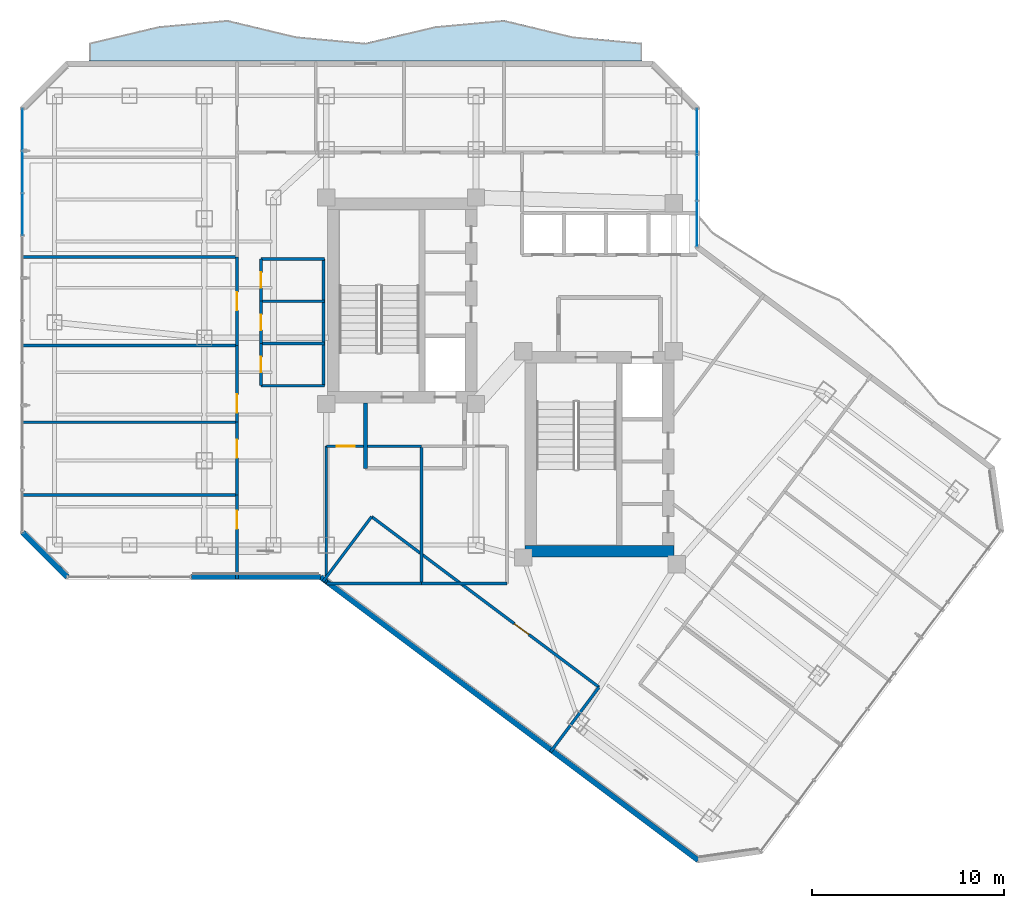
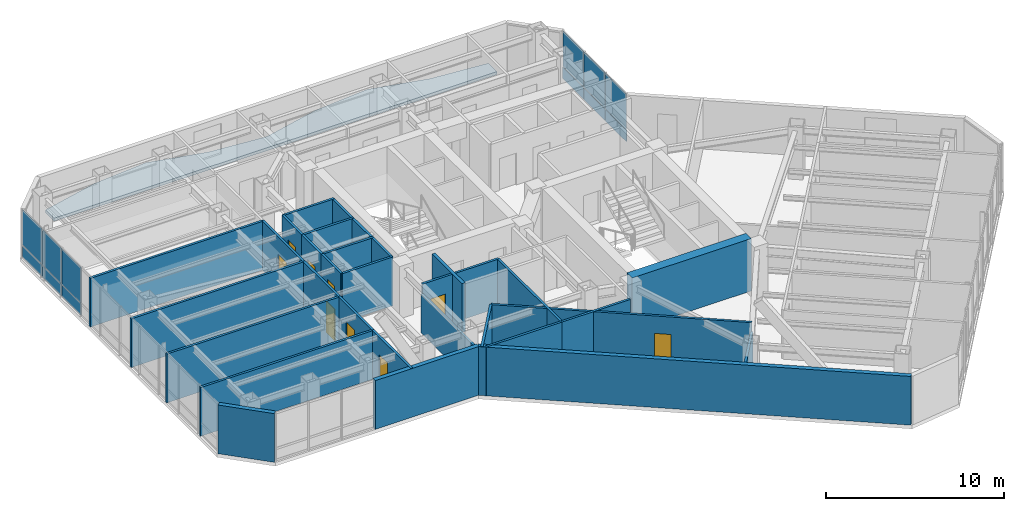
# One storey, part 22 of 29: 29 walls, 12 plates, 9 doors, 1 slab, 9 openings, 2 elements without a shape of their own.
"""IFC4 building model written with IfcOpenShell, lengths in metres."""

from ifc_helpers import new_model, si_unit, direction, frame, frame_2d, origin, origin_2d, place, context, subcontext, project, spatial, polyline, rectangle, outline, extrude, material, layer, layer_set, type_object, element, fill, aggregate, save


model = new_model("IFC4")

# Units and contexts
model_context = context("Model", 3, precision=1e-05, world=origin(), true_north=direction((0.0, 1.0)))
body_context = subcontext(model_context, "Body", "Model", "MODEL_VIEW")
ifc_project = project(units=[si_unit("LENGTHUNIT", "METRE"), si_unit("AREAUNIT", "SQUARE_METRE"), si_unit("VOLUMEUNIT", "CUBIC_METRE"), si_unit("PLANEANGLEUNIT", "RADIAN"), si_unit("MASSUNIT", "GRAM", prefix="KILO")], contexts=[model_context])

# Site, building, storey
site_placement = place(None, origin())
site = spatial("IfcSite", under=ifc_project, at=site_placement, CompositionType="ELEMENT")
building_placement = place(site_placement, origin())
building = spatial("IfcBuilding", under=site, at=building_placement, Name="Hatsunagi Terrace Concourse", CompositionType="ELEMENT")
storey_placement = place(building_placement, frame((0.0, 0.0, 149.25)))
storey = spatial("IfcBuildingStorey", under=building, at=storey_placement, Name="L39", CompositionType="ELEMENT", Elevation=149.25)

# Curtain wall, plates
ifc_material_1 = material(Name="Anodised Aluminium Alloy 6063-T5", Category="aluminium")
ifc_layer_1 = layer(ifc_material_1, 0.199951171875)
ifc_layer_set_1 = layer_set([ifc_layer_1], Name="OfficeZone1_CW03")
curtain_wall_type = type_object("IfcCurtainWallType", Name="OfficeZone1_CW03", PredefinedType="NOTDEFINED", material=ifc_layer_set_1)
curtain_wall_1_placement = place(storey_placement, origin())
curtain_wall_1 = element("IfcCurtainWall", 1, at=curtain_wall_1_placement, inside=storey, type_object=curtain_wall_type, Name="Unitised Curtain Wall CW-03 CW-L39-09", PredefinedType="NOTDEFINED")
ifc_material_2 = material(Name="Warm Terracotta Ceramic Spandrel Panel", Category="masonry")
ifc_layer_2 = layer(ifc_material_2, 0.031982421875)
ifc_layer_set_2 = layer_set([ifc_layer_2], Name="CurtainWallSpandrelPanel_32")
plate_type_1 = type_object("IfcPlateType", Name="CurtainWallSpandrelPanel_32", PredefinedType="SHEET", material=ifc_layer_set_2)
plate_1_placement = place(storey_placement, frame((9.739990234375, 42.4208984375, 0.030029296875), z_axis=(0.0, 0.0, 1.0), x_axis=(0.0, 1.0, 0.0)))
plate_1 = element("IfcPlate", 2, at=plate_1_placement, type_object=plate_type_1, Name="Terracotta Spandrel Panel SPN-01", PredefinedType="SHEET", context=body_context, shape_type="SweptSolid", body=[
    extrude(rectangle(XDim=2.153076171875, YDim=0.031982421875, at=origin_2d()), origin(), (0.0, 0.0, 1.0), 0.7900390625),
])
plate_2_placement = place(storey_placement, frame((9.739990234375, 44.62890625, 0.030029296875), z_axis=(0.0, 0.0, 1.0), x_axis=(0.0, 1.0, 0.0)))
plate_2 = element("IfcPlate", 3, at=plate_2_placement, type_object=plate_type_1, Name="Terracotta Spandrel Panel SPN-01", PredefinedType="SHEET", context=body_context, shape_type="SweptSolid", body=[
    extrude(rectangle(XDim=2.153076171875, YDim=0.031982421875, at=origin_2d()), origin(), (0.0, 0.0, 1.0), 0.7900390625),
])
plate_3_placement = place(storey_placement, frame((9.739990234375, 46.837890625, 0.030029296875), z_axis=(0.0, 0.0, 1.0), x_axis=(0.0, 1.0, 0.0)))
plate_3 = element("IfcPlate", 4, at=plate_3_placement, type_object=plate_type_1, Name="Terracotta Spandrel Panel SPN-01", PredefinedType="SHEET", context=body_context, shape_type="SweptSolid", body=[
    extrude(rectangle(XDim=2.153076171875, YDim=0.031982421875, at=origin_2d()), origin(), (0.0, 0.0, 1.0), 0.7900390625),
])

curtain_wall_2_placement = place(storey_placement, origin())
curtain_wall_2 = element("IfcCurtainWall", 5, at=curtain_wall_2_placement, inside=storey, type_object=curtain_wall_type, Name="Unitised Curtain Wall CW-03 CW-L39-13", PredefinedType="NOTDEFINED")
plate_4_placement = place(storey_placement, frame((44.860107421875, 46.739990234375, 0.030029296875), z_axis=(0.0, 0.0, 1.0), x_axis=(0.0, -1.0, 0.0)))
plate_4 = element("IfcPlate", 6, at=plate_4_placement, type_object=plate_type_1, Name="Terracotta Spandrel Panel SPN-01", PredefinedType="SHEET", context=body_context, shape_type="SweptSolid", body=[
    extrude(rectangle(XDim=2.34912109375, YDim=0.031982421875, at=origin_2d()), origin(), (0.0, 0.0, 1.0), 0.7900390625),
])
plate_5_placement = place(storey_placement, frame((44.860107421875, 44.3359375, 0.030029296875), z_axis=(0.0, 0.0, 1.0), x_axis=(0.0, -1.0, 0.0)))
plate_5 = element("IfcPlate", 7, at=plate_5_placement, type_object=plate_type_1, Name="Terracotta Spandrel Panel SPN-01", PredefinedType="SHEET", context=body_context, shape_type="SweptSolid", body=[
    extrude(rectangle(XDim=2.34912109375, YDim=0.031982421875, at=origin_2d()), origin(), (0.0, 0.0, 1.0), 0.7900390625),
])
plate_6_placement = place(storey_placement, frame((44.860107421875, 41.931884765625, 0.030029296875), z_axis=(0.0, 0.0, 1.0), x_axis=(0.0, -1.0, 0.0)))
plate_6 = element("IfcPlate", 8, at=plate_6_placement, type_object=plate_type_1, Name="Terracotta Spandrel Panel SPN-01", PredefinedType="SHEET", context=body_context, shape_type="SweptSolid", body=[
    extrude(rectangle(XDim=2.34912109375, YDim=0.031982421875, at=origin_2d()), origin(), (0.0, 0.0, 1.0), 0.7900390625),
])

# Plate
ifc_material_3 = material(Name="Low-E Double Insulating Glass 28mm", Category="glass")
ifc_layer_3 = layer(ifc_material_3, 0.028076171875)
ifc_layer_set_3 = layer_set([ifc_layer_3], Name="CurtainWallVisionGlass_28")
plate_type_2 = type_object("IfcPlateType", Name="CurtainWallVisionGlass_28", PredefinedType="CURTAIN_PANEL", material=ifc_layer_set_3)
plate_7_placement = place(storey_placement, frame((9.739990234375, 42.4208984375, 0.880126953125), z_axis=(0.0, 0.0, 1.0), x_axis=(0.0, 1.0, 0.0)))
plate_7 = element("IfcPlate", 9, at=plate_7_placement, type_object=plate_type_2, Name="Low-E Vision Glass Panel GLZ-01", PredefinedType="CURTAIN_PANEL", context=body_context, shape_type="SweptSolid", body=[
    extrude(rectangle(XDim=2.153076171875, YDim=0.028076171875, at=origin_2d()), origin(), (0.0, 0.0, 1.0), 2.43994140625),
])

plate_8_placement = place(storey_placement, frame((9.739990234375, 44.62890625, 0.880126953125), z_axis=(0.0, 0.0, 1.0), x_axis=(0.0, 1.0, 0.0)))
plate_8 = element("IfcPlate", 10, at=plate_8_placement, type_object=plate_type_2, Name="Low-E Vision Glass Panel GLZ-01", PredefinedType="CURTAIN_PANEL", context=body_context, shape_type="SweptSolid", body=[
    extrude(rectangle(XDim=2.153076171875, YDim=0.028076171875, at=origin_2d()), origin(), (0.0, 0.0, 1.0), 2.43994140625),
])

plate_9_placement = place(storey_placement, frame((9.739990234375, 46.837890625, 0.880126953125), z_axis=(0.0, 0.0, 1.0), x_axis=(0.0, 1.0, 0.0)))
plate_9 = element("IfcPlate", 11, at=plate_9_placement, type_object=plate_type_2, Name="Low-E Vision Glass Panel GLZ-01", PredefinedType="CURTAIN_PANEL", context=body_context, shape_type="SweptSolid", body=[
    extrude(rectangle(XDim=2.153076171875, YDim=0.028076171875, at=origin_2d()), origin(), (0.0, 0.0, 1.0), 2.43994140625),
])

aggregate(curtain_wall_1, [plate_1, plate_7, plate_2, plate_8, plate_3, plate_9])

plate_10_placement = place(storey_placement, frame((44.860107421875, 46.739990234375, 0.880126953125), z_axis=(0.0, 0.0, 1.0), x_axis=(0.0, -1.0, 0.0)))
plate_10 = element("IfcPlate", 12, at=plate_10_placement, type_object=plate_type_2, Name="Low-E Vision Glass Panel GLZ-01", PredefinedType="CURTAIN_PANEL", context=body_context, shape_type="SweptSolid", body=[
    extrude(rectangle(XDim=2.34912109375, YDim=0.028076171875, at=origin_2d()), origin(), (0.0, 0.0, 1.0), 2.43994140625),
])

plate_11_placement = place(storey_placement, frame((44.860107421875, 44.3359375, 0.880126953125), z_axis=(0.0, 0.0, 1.0), x_axis=(0.0, -1.0, 0.0)))
plate_11 = element("IfcPlate", 13, at=plate_11_placement, type_object=plate_type_2, Name="Low-E Vision Glass Panel GLZ-01", PredefinedType="CURTAIN_PANEL", context=body_context, shape_type="SweptSolid", body=[
    extrude(rectangle(XDim=2.34912109375, YDim=0.028076171875, at=origin_2d()), origin(), (0.0, 0.0, 1.0), 2.43994140625),
])

plate_12_placement = place(storey_placement, frame((44.860107421875, 41.931884765625, 0.880126953125), z_axis=(0.0, 0.0, 1.0), x_axis=(0.0, -1.0, 0.0)))
plate_12 = element("IfcPlate", 14, at=plate_12_placement, type_object=plate_type_2, Name="Low-E Vision Glass Panel GLZ-01", PredefinedType="CURTAIN_PANEL", context=body_context, shape_type="SweptSolid", body=[
    extrude(rectangle(XDim=2.34912109375, YDim=0.028076171875, at=origin_2d()), origin(), (0.0, 0.0, 1.0), 2.43994140625),
])

aggregate(curtain_wall_2, [plate_4, plate_10, plate_5, plate_11, plate_6, plate_12])

# Slab
ifc_material_4 = material(Name="Concrete Fc42", Category="concrete")
ifc_layer_4 = layer(ifc_material_4, 0.199951171875)
ifc_layer_set_4 = layer_set([ifc_layer_4], Name="EngawaBalconySlab_Fc42_200")
slab_type = type_object("IfcSlabType", Name="EngawaBalconySlab_Fc42_200", PredefinedType="FLOOR", material=ifc_layer_set_4)
slab_placement = place(storey_placement, frame((0.0, 0.0, -0.199951171875)))
element("IfcSlab", 15, at=slab_placement, inside=storey, type_object=slab_type, Name="Engawa Balcony Slab BAL-L39-BN", PredefinedType="FLOOR", context=body_context, shape_type="SweptSolid", body=[
    extrude(outline(polyline([(13.199951171875, 51.35595703125), (13.199951171875, 50.39990234375), (42.0, 50.39990234375), (42.0, 51.35595703125), (38.39990234375, 51.68603515625), (34.800048828125, 52.5439453125), (31.199951171875, 52.214111328125), (27.60009765625, 51.35595703125), (24.0, 51.68603515625), (20.39990234375, 52.5439453125), (16.800048828125, 52.214111328125), (13.199951171875, 51.35595703125)])), origin(), (0.0, 0.0, 1.0), 0.199951171875),
])

# Walls
ifc_material_5 = material(Name="Concrete Fc48", Category="concrete")
ifc_layer_5 = layer(ifc_material_5, 0.60009765625)
ifc_layer_set_5 = layer_set([ifc_layer_5], Name="CoreShearWall_Fc48_600")
wall_type_1 = type_object("IfcWallType", Name="CoreShearWall_Fc48_600", PredefinedType="SHEAR", material=ifc_layer_set_5)
wall_1_placement = place(storey_placement, frame((35.889892578125, 24.889892578125, 0.0), z_axis=(0.0, 0.0, 1.0), x_axis=(1.0, 0.0, 0.0)))
element("IfcWall", 16, at=wall_1_placement, inside=storey, type_object=wall_type_1, Name="Core B Shear Wall S L39", PredefinedType="SHEAR", context=body_context, shape_type="SweptSolid", body=[
    extrude(rectangle(XDim=7.760009765625, YDim=0.60009765625, at=frame_2d((3.8798828125, 0.0))), origin(), (0.0, 0.0, 1.0), 3.60009765625),
])
ifc_material_6 = material(Name="Acoustic mineral board", Category="gypsum")
ifc_layer_6 = layer(ifc_material_6, 0.14990234375)
ifc_layer_set_6 = layer_set([ifc_layer_6], Name="PartitionWall_EI60_150")
wall_type_2 = type_object("IfcWallType", Name="PartitionWall_EI60_150", PredefinedType="PARTITIONING", material=ifc_layer_set_6)
for number, where, z_axis, x_axis, name in (
    (17, (22.14990234375, 33.5, 0.0), (0.0, 0.0, 1.0), (1.0, 0.0, 0.0), "Interior Partition IW-L39-019"),
    (18, (22.14990234375, 40.10009765625, 0.0), (0.0, 0.0, 1.0), (1.0, 0.0, 0.0), "Interior Partition IW-L39-020"),
):
    element("IfcWall", number, at=place(storey_placement, frame(where, z_axis=z_axis, x_axis=x_axis)), inside=storey, type_object=wall_type_2, Name=name, PredefinedType="PARTITIONING", context=body_context, shape_type="SweptSolid", body=[
        extrude(rectangle(XDim=3.300048828125, YDim=0.14990234375, at=frame_2d((1.64990234375, 0.0))), origin(), (0.0, 0.0, 1.0), 3.35009765625),
    ])
wall_2_placement = place(storey_placement, frame((25.39990234375, 33.5, 0.0), z_axis=(0.0, 0.0, 1.0), x_axis=(0.0, 1.0, 0.0)))
element("IfcWall", 19, at=wall_2_placement, inside=storey, type_object=wall_type_2, Name="Interior Partition IW-L39-021", PredefinedType="PARTITIONING", context=body_context, shape_type="SweptSolid", body=[
    extrude(rectangle(XDim=6.60009765625, YDim=0.14990234375, at=frame_2d((3.300048828125, 0.0))), origin(), (0.0, 0.0, 1.0), 3.35009765625),
])
for number, where, z_axis, x_axis, name in (
    (20, (22.14990234375, 35.699951171875, 0.0), (0.0, 0.0, 1.0), (1.0, 0.0, 0.0), "Interior Partition IW-L39-022"),
    (21, (22.14990234375, 37.89990234375, 0.0), (0.0, 0.0, 1.0), (1.0, 0.0, 0.0), "Interior Partition IW-L39-023"),
):
    element("IfcWall", number, at=place(storey_placement, frame(where, z_axis=z_axis, x_axis=x_axis)), inside=storey, type_object=wall_type_2, Name=name, PredefinedType="PARTITIONING", context=body_context, shape_type="SweptSolid", body=[
        extrude(rectangle(XDim=3.300048828125, YDim=0.14990234375, at=frame_2d((1.64990234375, 0.0))), origin(), (0.0, 0.0, 1.0), 3.35009765625),
    ])

# Wall, opening, door
wall_3_placement = place(storey_placement, frame((22.14990234375, 33.5, 0.0), z_axis=(0.0, 0.0, 1.0), x_axis=(0.0, 1.0, 0.0)))
wall_3 = element("IfcWall", 22, at=wall_3_placement, inside=storey, type_object=wall_type_2, Name="Interior Partition IW-L39-024", PredefinedType="PARTITIONING", context=body_context, shape_type="SweptSolid", body=[
    extrude(rectangle(XDim=2.199951171875, YDim=0.14990234375, at=frame_2d((1.10009765625, 0.0))), origin(), (0.0, 0.0, 1.0), 3.35009765625),
])
opening_1_placement = place(wall_3_placement, frame((0.699951171875, 0.0, 0.0)))
opening_1 = element("IfcOpeningElement", 23, at=opening_1_placement, cuts=wall_3, Name="Opening DR-080", PredefinedType="OPENING", context=body_context, shape_type="SweptSolid", body=[
    extrude(rectangle(XDim=0.800048828125, YDim=2.06005859375, at=frame_2d((0.39990234375, 1.030029296875))), frame((0.0, 0.0849609375, 0.0), z_axis=(0.0, -1.0, 0.0), x_axis=(1.0, 0.0, 0.0)), (0.0, 0.0, 1.0), 0.169921875),
])
ifc_material_7 = material(Name="Hardwood timber", Category="wood")
door_type_1 = type_object("IfcDoorType", Name="BathroomDoor_800", OperationType="NOTDEFINED", PredefinedType="DOOR", material=ifc_material_7)
door_1_placement = place(opening_1_placement, origin())
door_1 = element("IfcDoor", 24, at=door_1_placement, inside=storey, type_object=door_type_1, Name="Accessible WC Door L39", OperationType="SINGLE_SWING_RIGHT", OverallHeight=2.06005859375, OverallWidth=0.800048828125, PredefinedType="DOOR", context=body_context, shape_type="SweptSolid", body=[
    extrude(rectangle(XDim=0.800048828125, YDim=2.06005859375, at=frame_2d((0.39990234375, 1.030029296875))), frame((0.0, 0.02490234375, 0.0), z_axis=(0.0, -1.0, 0.0), x_axis=(1.0, 0.0, 0.0)), (0.0, 0.0, 1.0), 0.050048828125),
])
fill(opening_1, door_1)

wall_4_placement = place(storey_placement, frame((22.14990234375, 35.699951171875, 0.0), z_axis=(0.0, 0.0, 1.0), x_axis=(0.0, 1.0, 0.0)))
wall_4 = element("IfcWall", 25, at=wall_4_placement, inside=storey, type_object=wall_type_2, Name="Interior Partition IW-L39-025", PredefinedType="PARTITIONING", context=body_context, shape_type="SweptSolid", body=[
    extrude(rectangle(XDim=2.199951171875, YDim=0.14990234375, at=frame_2d((1.10009765625, 0.0))), origin(), (0.0, 0.0, 1.0), 3.35009765625),
])
opening_2_placement = place(wall_4_placement, frame((0.699951171875, 0.0, 0.0)))
opening_2 = element("IfcOpeningElement", 26, at=opening_2_placement, cuts=wall_4, Name="Opening DR-080", PredefinedType="OPENING", context=body_context, shape_type="SweptSolid", body=[
    extrude(rectangle(XDim=0.800048828125, YDim=2.06005859375, at=frame_2d((0.39990234375, 1.030029296875))), frame((0.0, 0.0849609375, 0.0), z_axis=(0.0, -1.0, 0.0), x_axis=(1.0, 0.0, 0.0)), (0.0, 0.0, 1.0), 0.169921875),
])
door_2_placement = place(opening_2_placement, origin())
door_2 = element("IfcDoor", 27, at=door_2_placement, inside=storey, type_object=door_type_1, Name="Female Restroom Door L39", OperationType="SINGLE_SWING_RIGHT", OverallHeight=2.06005859375, OverallWidth=0.800048828125, PredefinedType="DOOR", context=body_context, shape_type="SweptSolid", body=[
    extrude(rectangle(XDim=0.800048828125, YDim=2.06005859375, at=frame_2d((0.39990234375, 1.030029296875))), frame((0.0, 0.02490234375, 0.0), z_axis=(0.0, -1.0, 0.0), x_axis=(1.0, 0.0, 0.0)), (0.0, 0.0, 1.0), 0.050048828125),
])
fill(opening_2, door_2)

wall_5_placement = place(storey_placement, frame((22.14990234375, 37.89990234375, 0.0), z_axis=(0.0, 0.0, 1.0), x_axis=(0.0, 1.0, 0.0)))
wall_5 = element("IfcWall", 28, at=wall_5_placement, inside=storey, type_object=wall_type_2, Name="Interior Partition IW-L39-026", PredefinedType="PARTITIONING", context=body_context, shape_type="SweptSolid", body=[
    extrude(rectangle(XDim=2.2001953125, YDim=0.14990234375, at=frame_2d((1.10009765625, 0.0))), origin(), (0.0, 0.0, 1.0), 3.35009765625),
])
opening_3_placement = place(wall_5_placement, frame((0.699951171875, 0.0, 0.0)))
opening_3 = element("IfcOpeningElement", 29, at=opening_3_placement, cuts=wall_5, Name="Opening DR-080", PredefinedType="OPENING", context=body_context, shape_type="SweptSolid", body=[
    extrude(rectangle(XDim=0.800048828125, YDim=2.06005859375, at=frame_2d((0.39990234375, 1.030029296875))), frame((0.0, 0.0849609375, 0.0), z_axis=(0.0, -1.0, 0.0), x_axis=(1.0, 0.0, 0.0)), (0.0, 0.0, 1.0), 0.169921875),
])
door_3_placement = place(opening_3_placement, origin())
door_3 = element("IfcDoor", 30, at=door_3_placement, inside=storey, type_object=door_type_1, Name="Male Restroom Door L39", OperationType="SINGLE_SWING_RIGHT", OverallHeight=2.06005859375, OverallWidth=0.800048828125, PredefinedType="DOOR", context=body_context, shape_type="SweptSolid", body=[
    extrude(rectangle(XDim=0.800048828125, YDim=2.06005859375, at=frame_2d((0.39990234375, 1.030029296875))), frame((0.0, 0.02490234375, 0.0), z_axis=(0.0, -1.0, 0.0), x_axis=(1.0, 0.0, 0.0)), (0.0, 0.0, 1.0), 0.050048828125),
])
fill(opening_3, door_3)

# Wall
wall_6_placement = place(storey_placement, frame((25.550048828125, 23.199951171875, 0.0), z_axis=(0.0, 0.0, 1.0), x_axis=(1.0, 0.0, 0.0)))
element("IfcWall", 31, at=wall_6_placement, inside=storey, type_object=wall_type_2, Name="Interior Partition IW-L39-027", PredefinedType="PARTITIONING", context=body_context, shape_type="SweptSolid", body=[
    extrude(rectangle(XDim=4.949951171875, YDim=0.14990234375, at=frame_2d((2.47509765625, 0.0))), origin(), (0.0, 0.0, 1.0), 3.35009765625),
])

# Wall, opening, door
wall_7_placement = place(storey_placement, frame((25.550048828125, 30.35009765625, 0.0), z_axis=(0.0, 0.0, 1.0), x_axis=(1.0, 0.0, 0.0)))
wall_7 = element("IfcWall", 32, at=wall_7_placement, inside=storey, type_object=wall_type_2, Name="Interior Partition IW-L39-028", PredefinedType="PARTITIONING", context=body_context, shape_type="SweptSolid", body=[
    extrude(rectangle(XDim=4.949951171875, YDim=0.14990234375, at=frame_2d((2.47509765625, 0.0))), origin(), (0.0, 0.0, 1.0), 3.35009765625),
])
opening_4_placement = place(wall_7_placement, frame((0.5419921875, 0.0, 0.0)))
opening_4 = element("IfcOpeningElement", 33, at=opening_4_placement, cuts=wall_7, Name="Opening DR-095", PredefinedType="OPENING", context=body_context, shape_type="SweptSolid", body=[
    extrude(rectangle(XDim=0.949951171875, YDim=2.14990234375, at=frame_2d((0.47509765625, 1.074951171875))), frame((0.0, 0.0849609375, 0.0), z_axis=(0.0, -1.0, 0.0), x_axis=(1.0, 0.0, 0.0)), (0.0, 0.0, 1.0), 0.169921875),
])
ifc_material_8 = material(Name="Hardwood timber", Category="wood")
door_type_2 = type_object("IfcDoorType", Name="InteriorSuiteDoor_EI30_950", OperationType="NOTDEFINED", PredefinedType="DOOR", material=ifc_material_8)
door_4_placement = place(opening_4_placement, origin())
door_4 = element("IfcDoor", 34, at=door_4_placement, inside=storey, type_object=door_type_2, Name="Design Studio L39-RECL1 Door", OperationType="SINGLE_SWING_RIGHT", OverallHeight=2.14990234375, OverallWidth=0.949951171875, PredefinedType="DOOR", context=body_context, shape_type="SweptSolid", body=[
    extrude(rectangle(XDim=0.949951171875, YDim=2.14990234375, at=frame_2d((0.47509765625, 1.074951171875))), frame((0.0, 0.02490234375, 0.0), z_axis=(0.0, -1.0, 0.0), x_axis=(1.0, 0.0, 0.0)), (0.0, 0.0, 1.0), 0.050048828125),
])
fill(opening_4, door_4)

# Walls
wall_8_placement = place(storey_placement, frame((25.550048828125, 23.199951171875, 0.0), z_axis=(0.0, 0.0, 1.0), x_axis=(0.0, 1.0, 0.0)))
element("IfcWall", 35, at=wall_8_placement, inside=storey, type_object=wall_type_2, Name="Interior Partition IW-L39-029", PredefinedType="PARTITIONING", context=body_context, shape_type="SweptSolid", body=[
    extrude(rectangle(XDim=7.150146484375, YDim=0.14990234375, at=frame_2d((3.5751953125, 0.0))), origin(), (0.0, 0.0, 1.0), 2.695068359375),
])
wall_9_placement = place(storey_placement, frame((30.5, 23.199951171875, 0.0), z_axis=(0.0, 0.0, 1.0), x_axis=(0.0, 1.0, 0.0)))
element("IfcWall", 36, at=wall_9_placement, inside=storey, type_object=wall_type_2, Name="Interior Partition IW-L39-030", PredefinedType="PARTITIONING", context=body_context, shape_type="SweptSolid", body=[
    extrude(rectangle(XDim=7.150146484375, YDim=0.14990234375, at=frame_2d((3.5751953125, 0.0))), origin(), (0.0, 0.0, 1.0), 3.35009765625),
])
wall_10_placement = place(storey_placement, frame((30.5, 23.199951171875, 0.0), z_axis=(0.0, 0.0, 1.0), x_axis=(1.0, 0.0, 0.0)))
element("IfcWall", 37, at=wall_10_placement, inside=storey, type_object=wall_type_2, Name="Interior Partition IW-L39-031", PredefinedType="PARTITIONING", context=body_context, shape_type="SweptSolid", body=[
    extrude(rectangle(XDim=4.449951171875, YDim=0.14990234375, at=frame_2d((2.22509765625, 0.0))), origin(), (0.0, 0.0, 1.0), 3.35009765625),
])
wall_11_placement = place(storey_placement, frame((9.639892578125, 27.800048828125, 0.0), z_axis=(0.0, 0.0, 1.0), x_axis=(1.0, 0.0, 0.0)))
element("IfcWall", 38, at=wall_11_placement, inside=storey, type_object=wall_type_2, Name="Interior Partition IW-L39-034", PredefinedType="PARTITIONING", context=body_context, shape_type="SweptSolid", body=[
    extrude(rectangle(XDim=11.260009765625, YDim=0.14990234375, at=frame_2d((5.6298828125, 0.0))), origin(), (0.0, 0.0, 1.0), 3.35009765625),
])

# Wall, opening, door
wall_12_placement = place(storey_placement, frame((20.89990234375, 23.43994140625, 0.0), z_axis=(0.0, 0.0, 1.0), x_axis=(0.0, 1.0, 0.0)))
wall_12 = element("IfcWall", 39, at=wall_12_placement, inside=storey, type_object=wall_type_2, Name="Interior Partition IW-L39-035", PredefinedType="PARTITIONING", context=body_context, shape_type="SweptSolid", body=[
    extrude(rectangle(XDim=4.360107421875, YDim=0.14990234375, at=frame_2d((2.18017578125, 0.0))), origin(), (0.0, 0.0, 1.0), 3.35009765625),
])
opening_5_placement = place(wall_12_placement, frame((2.60595703125, 0.0, 0.0)))
opening_5 = element("IfcOpeningElement", 40, at=opening_5_placement, cuts=wall_12, Name="Opening DR-095", PredefinedType="OPENING", context=body_context, shape_type="SweptSolid", body=[
    extrude(rectangle(XDim=0.949951171875, YDim=2.14990234375, at=frame_2d((0.47509765625, 1.074951171875))), frame((0.0, 0.0849609375, 0.0), z_axis=(0.0, -1.0, 0.0), x_axis=(1.0, 0.0, 0.0)), (0.0, 0.0, 1.0), 0.169921875),
])
door_5_placement = place(opening_5_placement, origin())
door_5 = element("IfcDoor", 41, at=door_5_placement, inside=storey, type_object=door_type_2, Name="Executive Office L39-OW1 Door", OperationType="SINGLE_SWING_RIGHT", OverallHeight=2.14990234375, OverallWidth=0.949951171875, PredefinedType="DOOR", context=body_context, shape_type="SweptSolid", body=[
    extrude(rectangle(XDim=0.949951171875, YDim=2.14990234375, at=frame_2d((0.47509765625, 1.074951171875))), frame((0.0, 0.02490234375, 0.0), z_axis=(0.0, -1.0, 0.0), x_axis=(1.0, 0.0, 0.0)), (0.0, 0.0, 1.0), 0.050048828125),
])
fill(opening_5, door_5)

# Wall
wall_13_placement = place(storey_placement, frame((9.639892578125, 31.60009765625, 0.0), z_axis=(0.0, 0.0, 1.0), x_axis=(1.0, 0.0, 0.0)))
element("IfcWall", 42, at=wall_13_placement, inside=storey, type_object=wall_type_2, Name="Interior Partition IW-L39-036", PredefinedType="PARTITIONING", context=body_context, shape_type="SweptSolid", body=[
    extrude(rectangle(XDim=11.260009765625, YDim=0.14990234375, at=frame_2d((5.6298828125, 0.0))), origin(), (0.0, 0.0, 1.0), 3.35009765625),
])

# Wall, opening, door
wall_14_placement = place(storey_placement, frame((20.89990234375, 27.800048828125, 0.0), z_axis=(0.0, 0.0, 1.0), x_axis=(0.0, 1.0, 0.0)))
wall_14 = element("IfcWall", 43, at=wall_14_placement, inside=storey, type_object=wall_type_2, Name="Interior Partition IW-L39-037", PredefinedType="PARTITIONING", context=body_context, shape_type="SweptSolid", body=[
    extrude(rectangle(XDim=3.800048828125, YDim=0.14990234375, at=frame_2d((1.89990234375, 0.0))), origin(), (0.0, 0.0, 1.0), 3.35009765625),
])
opening_6_placement = place(wall_14_placement, frame((1.947998046875, 0.0, 0.0)))
opening_6 = element("IfcOpeningElement", 44, at=opening_6_placement, cuts=wall_14, Name="Opening DR-095", PredefinedType="OPENING", context=body_context, shape_type="SweptSolid", body=[
    extrude(rectangle(XDim=0.949951171875, YDim=2.14990234375, at=frame_2d((0.47509765625, 1.074951171875))), frame((0.0, 0.0849609375, 0.0), z_axis=(0.0, -1.0, 0.0), x_axis=(1.0, 0.0, 0.0)), (0.0, 0.0, 1.0), 0.169921875),
])
door_6_placement = place(opening_6_placement, origin())
door_6 = element("IfcDoor", 45, at=door_6_placement, inside=storey, type_object=door_type_2, Name="Focus Room L39-OW2 Door", OperationType="SINGLE_SWING_RIGHT", OverallHeight=2.14990234375, OverallWidth=0.949951171875, PredefinedType="DOOR", context=body_context, shape_type="SweptSolid", body=[
    extrude(rectangle(XDim=0.949951171875, YDim=2.14990234375, at=frame_2d((0.47509765625, 1.074951171875))), frame((0.0, 0.02490234375, 0.0), z_axis=(0.0, -1.0, 0.0), x_axis=(1.0, 0.0, 0.0)), (0.0, 0.0, 1.0), 0.050048828125),
])
fill(opening_6, door_6)

# Wall
wall_15_placement = place(storey_placement, frame((9.639892578125, 35.60009765625, 0.0), z_axis=(0.0, 0.0, 1.0), x_axis=(1.0, 0.0, 0.0)))
element("IfcWall", 46, at=wall_15_placement, inside=storey, type_object=wall_type_2, Name="Interior Partition IW-L39-038", PredefinedType="PARTITIONING", context=body_context, shape_type="SweptSolid", body=[
    extrude(rectangle(XDim=11.260009765625, YDim=0.14990234375, at=frame_2d((5.6298828125, 0.0))), origin(), (0.0, 0.0, 1.0), 3.35009765625),
])

# Wall, opening, door
wall_16_placement = place(storey_placement, frame((20.89990234375, 31.60009765625, 0.0), z_axis=(0.0, 0.0, 1.0), x_axis=(0.0, 1.0, 0.0)))
wall_16 = element("IfcWall", 47, at=wall_16_placement, inside=storey, type_object=wall_type_2, Name="Interior Partition IW-L39-039", PredefinedType="PARTITIONING", context=body_context, shape_type="SweptSolid", body=[
    extrude(rectangle(XDim=4.0, YDim=0.14990234375, at=frame_2d((2.0, 0.0))), origin(), (0.0, 0.0, 1.0), 3.35009765625),
])
opening_7_placement = place(wall_16_placement, frame((0.493896484375, 0.0, 0.0)))
opening_7 = element("IfcOpeningElement", 48, at=opening_7_placement, cuts=wall_16, Name="Opening DR-095", PredefinedType="OPENING", context=body_context, shape_type="SweptSolid", body=[
    extrude(rectangle(XDim=0.949951171875, YDim=2.14990234375, at=frame_2d((0.47509765625, 1.074951171875))), frame((0.0, 0.0849609375, 0.0), z_axis=(0.0, -1.0, 0.0), x_axis=(1.0, 0.0, 0.0)), (0.0, 0.0, 1.0), 0.169921875),
])
door_7_placement = place(opening_7_placement, origin())
door_7 = element("IfcDoor", 49, at=door_7_placement, inside=storey, type_object=door_type_2, Name="Focus Room L39-OW3 Door", OperationType="SINGLE_SWING_RIGHT", OverallHeight=2.14990234375, OverallWidth=0.949951171875, PredefinedType="DOOR", context=body_context, shape_type="SweptSolid", body=[
    extrude(rectangle(XDim=0.949951171875, YDim=2.14990234375, at=frame_2d((0.47509765625, 1.074951171875))), frame((0.0, 0.02490234375, 0.0), z_axis=(0.0, -1.0, 0.0), x_axis=(1.0, 0.0, 0.0)), (0.0, 0.0, 1.0), 0.050048828125),
])
fill(opening_7, door_7)

# Wall
wall_17_placement = place(storey_placement, frame((9.639892578125, 40.199951171875, 0.0), z_axis=(0.0, 0.0, 1.0), x_axis=(1.0, 0.0, 0.0)))
element("IfcWall", 50, at=wall_17_placement, inside=storey, type_object=wall_type_2, Name="Interior Partition IW-L39-040", PredefinedType="PARTITIONING", context=body_context, shape_type="SweptSolid", body=[
    extrude(rectangle(XDim=11.260009765625, YDim=0.14990234375, at=frame_2d((5.6298828125, 0.0))), origin(), (0.0, 0.0, 1.0), 3.35009765625),
])

# Wall, opening, door
wall_18_placement = place(storey_placement, frame((20.89990234375, 35.60009765625, 0.0), z_axis=(0.0, 0.0, 1.0), x_axis=(0.0, 1.0, 0.0)))
wall_18 = element("IfcWall", 51, at=wall_18_placement, inside=storey, type_object=wall_type_2, Name="Interior Partition IW-L39-041", PredefinedType="PARTITIONING", context=body_context, shape_type="SweptSolid", body=[
    extrude(rectangle(XDim=4.599853515625, YDim=0.14990234375, at=frame_2d((2.2998046875, 0.0))), origin(), (0.0, 0.0, 1.0), 3.35009765625),
])
opening_8_placement = place(wall_18_placement, frame((1.824951171875, 0.0, 0.0)))
opening_8 = element("IfcOpeningElement", 52, at=opening_8_placement, cuts=wall_18, Name="Opening DR-095", PredefinedType="OPENING", context=body_context, shape_type="SweptSolid", body=[
    extrude(rectangle(XDim=0.949951171875, YDim=2.14990234375, at=frame_2d((0.47509765625, 1.074951171875))), frame((0.0, 0.0849609375, 0.0), z_axis=(0.0, -1.0, 0.0), x_axis=(1.0, 0.0, 0.0)), (0.0, 0.0, 1.0), 0.169921875),
])
door_8_placement = place(opening_8_placement, origin())
door_8 = element("IfcDoor", 53, at=door_8_placement, inside=storey, type_object=door_type_2, Name="Executive Office L39-OW4 Door", OperationType="SINGLE_SWING_RIGHT", OverallHeight=2.14990234375, OverallWidth=0.949951171875, PredefinedType="DOOR", context=body_context, shape_type="SweptSolid", body=[
    extrude(rectangle(XDim=0.949951171875, YDim=2.14990234375, at=frame_2d((0.47509765625, 1.074951171875))), frame((0.0, 0.02490234375, 0.0), z_axis=(0.0, -1.0, 0.0), x_axis=(1.0, 0.0, 0.0)), (0.0, 0.0, 1.0), 0.050048828125),
])
fill(opening_8, door_8)

wall_19_placement = place(storey_placement, frame((27.909912109375, 26.679931640625, 0.0), z_axis=(0.0, 0.0, 1.0), x_axis=(0.800005938517, -0.599992081896, 0.0)))
wall_19 = element("IfcWall", 54, at=wall_19_placement, inside=storey, type_object=wall_type_2, Name="Interior Partition IW-L39-067", PredefinedType="PARTITIONING", context=body_context, shape_type="SweptSolid", body=[
    extrude(rectangle(XDim=14.800048828125, YDim=0.14990234375, at=frame_2d((7.39990234375, 0.0))), origin(), (0.0, 0.0, 1.0), 3.35009765625),
])
opening_9_placement = place(wall_19_placement, frame((9.281005859375, 0.0, 0.0)))
opening_9 = element("IfcOpeningElement", 55, at=opening_9_placement, cuts=wall_19, Name="Opening DR-095", PredefinedType="OPENING", context=body_context, shape_type="SweptSolid", body=[
    extrude(rectangle(XDim=0.949951171875, YDim=2.14990234375, at=frame_2d((0.47509765625, 1.074951171875))), frame((0.0, 0.0849609375, 0.0), z_axis=(0.0, -1.0, 0.0), x_axis=(1.0, 0.0, 0.0)), (0.0, 0.0, 1.0), 0.169921875),
])
door_9_placement = place(opening_9_placement, origin())
door_9 = element("IfcDoor", 56, at=door_9_placement, inside=storey, type_object=door_type_2, Name="Research Focus Suite L39-OSWS Door", OperationType="SINGLE_SWING_RIGHT", OverallHeight=2.14990234375, OverallWidth=0.949951171875, PredefinedType="DOOR", context=body_context, shape_type="SweptSolid", body=[
    extrude(rectangle(XDim=0.949951171875, YDim=2.14990234375, at=frame_2d((0.47509765625, 1.074951171875))), frame((0.0, 0.02490234375, 0.0), z_axis=(0.0, -1.0, 0.0), x_axis=(1.0, 0.0, 0.0)), (0.0, 0.0, 1.0), 0.050048828125),
])
fill(opening_9, door_9)

# Walls
wall_20_placement = place(storey_placement, frame((25.384033203125, 23.31201171875, 0.0), z_axis=(0.0, 0.0, 1.0), x_axis=(0.599990721155, 0.80000695905, 0.0)))
element("IfcWall", 57, at=wall_20_placement, inside=storey, type_object=wall_type_2, Name="Interior Partition IW-L39-068", PredefinedType="PARTITIONING", context=body_context, shape_type="SweptSolid", body=[
    extrude(rectangle(XDim=4.2099609375, YDim=0.14990234375, at=frame_2d((2.10498046875, 0.0))), origin(), (0.0, 0.0, 1.0), 3.35009765625),
])
wall_21_placement = place(storey_placement, frame((37.22412109375, 14.431884765625, 0.0), z_axis=(0.0, 0.0, 1.0), x_axis=(0.599962885857, 0.800027834262, 0.0)))
element("IfcWall", 58, at=wall_21_placement, inside=storey, type_object=wall_type_2, Name="Interior Partition IW-L39-069", PredefinedType="PARTITIONING", context=body_context, shape_type="SweptSolid", body=[
    extrude(rectangle(XDim=4.2099609375, YDim=0.14990234375, at=frame_2d((2.10498046875, 0.0))), origin(), (0.0, 0.0, 1.0), 2.695068359375),
])
ifc_material_9 = material(Name="Acoustic mineral board", Category="gypsum")
ifc_layer_7 = layer(ifc_material_9, 0.199951171875)
ifc_layer_set_7 = layer_set([ifc_layer_7], Name="ShaftWall_EI120_200")
wall_type_3 = type_object("IfcWallType", Name="ShaftWall_EI120_200", PredefinedType="STANDARD", material=ifc_layer_set_7)
wall_22_placement = place(storey_placement, frame((27.60009765625, 29.199951171875, 0.0), z_axis=(0.0, 0.0, 1.0), x_axis=(0.0, 1.0, 0.0)))
element("IfcWall", 59, at=wall_22_placement, inside=storey, type_object=wall_type_3, Name="Interior Partition IW-L39-008", PredefinedType="STANDARD", context=body_context, shape_type="SweptSolid", body=[
    extrude(rectangle(XDim=3.39013671875, YDim=0.199951171875, at=frame_2d((1.695068359375, 0.0))), origin(), (0.0, 0.0, 1.0), 3.35009765625),
])
ifc_material_10 = material(Name="Autoclaved Lightweight Concrete and Terracotta Cladding", Category="masonry")
ifc_layer_8 = layer(ifc_material_10, 0.280029296875)
ifc_layer_set_8 = layer_set([ifc_layer_8], Name="TerracottaSpandrelWall_280")
wall_type_4 = type_object("IfcWallType", Name="TerracottaSpandrelWall_280", PredefinedType="STANDARD", material=ifc_layer_set_8)
wall_23_placement = place(storey_placement, frame((44.91796875, 8.787109375, 0.0), z_axis=(0.0, 0.0, 1.0), x_axis=(-0.800004765927, 0.599993645378, 0.0)))
element("IfcWall", 60, at=wall_23_placement, inside=storey, type_object=wall_type_4, Name="Exterior Spandrel Wall EW-L39-05", PredefinedType="STANDARD", context=body_context, shape_type="SweptSolid", body=[
    extrude(rectangle(XDim=24.58837890625, YDim=0.280029296875, at=frame_2d((12.294189453125, 0.0))), origin(), (0.0, 0.0, 1.0), 3.35009765625),
])
wall_24_placement = place(storey_placement, frame((25.2470703125, 23.5400390625, 0.0), z_axis=(0.0, 0.0, 1.0), x_axis=(-1.0, 0.0, 0.0)))
element("IfcWall", 61, at=wall_24_placement, inside=storey, type_object=wall_type_4, Name="Exterior Spandrel Wall EW-L39-06", PredefinedType="STANDARD", context=body_context, shape_type="SweptSolid", body=[
    extrude(rectangle(XDim=6.7470703125, YDim=0.280029296875, at=frame_2d((3.37353515625, 0.0))), origin(), (0.0, 0.0, 1.0), 3.35009765625),
])
wall_25_placement = place(storey_placement, frame((12.05810546875, 23.5400390625, 0.0), z_axis=(0.0, 0.0, 1.0), x_axis=(-0.707144017911, 0.707069542501, 0.0)))
element("IfcWall", 62, at=wall_25_placement, inside=storey, type_object=wall_type_4, Name="Exterior Spandrel Wall EW-L39-08", PredefinedType="STANDARD", context=body_context, shape_type="SweptSolid", body=[
    extrude(rectangle(XDim=3.278076171875, YDim=0.280029296875, at=frame_2d((1.63916015625, 0.0))), origin(), (0.0, 0.0, 1.0), 3.35009765625),
])

save(model, "model.ifc")
